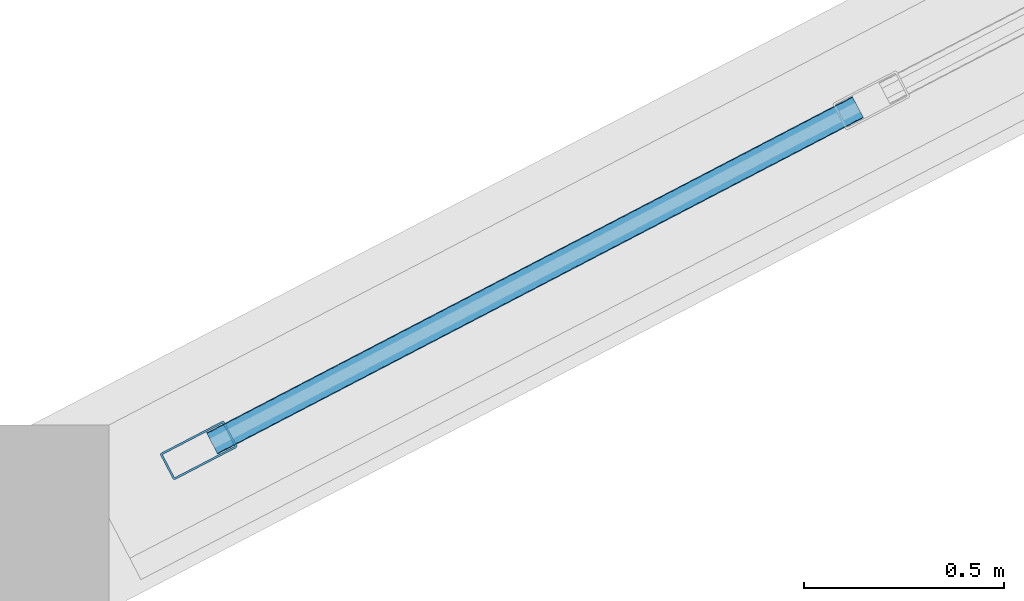
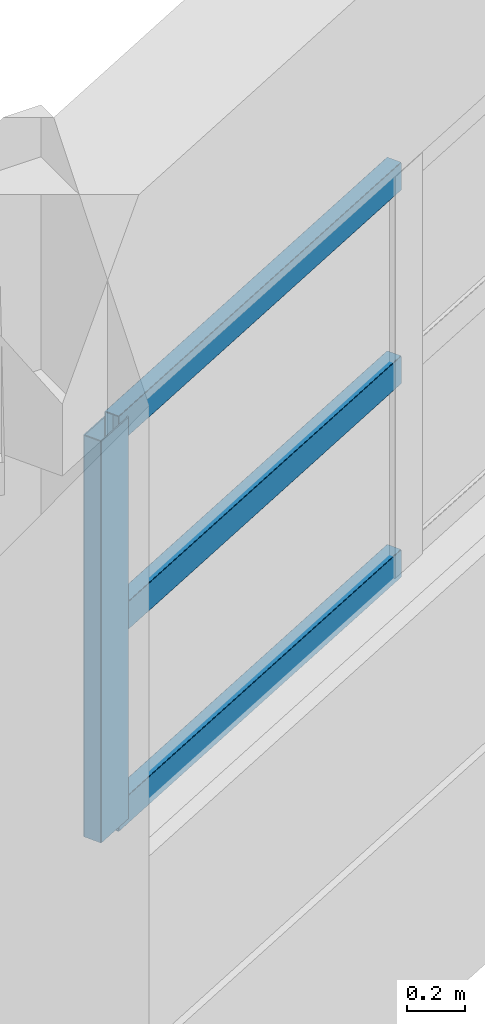
# One storey, part 4 of 108: 4 members, 1 element without a shape of its own.
"""IFC4 building model written with IfcOpenShell, lengths in metres."""

from ifc_helpers import new_model, si_unit, direction, frame, origin, origin_2d, place, context, subcontext, project, spatial, hollow_rectangle, extrude, material, layer, layer_set, material_profile, profile_set, type_object, element, aggregate, save


model = new_model("IFC4")

# Units and contexts
model_context = context("Model", 3, precision=1e-05, world=origin(), true_north=direction((0.0, 1.0)))
body_context = subcontext(model_context, "Body", "Model", "MODEL_VIEW")
ifc_project = project(units=[si_unit("LENGTHUNIT", "METRE"), si_unit("AREAUNIT", "SQUARE_METRE"), si_unit("VOLUMEUNIT", "CUBIC_METRE"), si_unit("PLANEANGLEUNIT", "RADIAN"), si_unit("MASSUNIT", "GRAM", prefix="KILO")], contexts=[model_context])

# Site, building, storey
site_placement = place(None, origin())
site = spatial("IfcSite", under=ifc_project, at=site_placement, CompositionType="ELEMENT")
building_placement = place(site_placement, origin())
building = spatial("IfcBuilding", under=site, at=building_placement, Name="Vespera Passage Community Centre", CompositionType="ELEMENT")
storey_placement = place(building_placement, frame((0.0, 0.0, 12.60009765625)))
storey = spatial("IfcBuildingStorey", under=building, at=storey_placement, Name="L03", CompositionType="ELEMENT", Elevation=12.60009765625)

# Curtain wall, members
ifc_material_1 = material(Name="Anodized aluminium 6063-T6", Category="aluminium")
ifc_layer = layer(ifc_material_1, 0.159912109375)
ifc_layer_set = layer_set([ifc_layer], Name="Anodized aluminium 6063-T6")
curtain_wall_type = type_object("IfcCurtainWallType", Name="CW-88E", PredefinedType="NOTDEFINED", material=ifc_layer_set)
curtain_wall_placement = place(storey_placement, origin())
curtain_wall = element("IfcCurtainWall", 1, at=curtain_wall_placement, inside=storey, type_object=curtain_wall_type, Name="V1 L03 S Apse Ribbon Curtain Wall 2", PredefinedType="NOTDEFINED")
ifc_material_2 = material(Name="Anodized aluminium 6063-T6", Category="aluminium")
ifc_material_profile_1 = material_profile(ifc_material_2, hollow_rectangle(XDim=0.074951171875, YDim=0.179931640625, WallThickness=0.0048828125, InnerFilletRadius=0.00244140625, OuterFilletRadius=0.0048828125, at=origin_2d()), Name="ALU180X75X5")
ifc_profile_set_1 = profile_set([ifc_material_profile_1], Name="Anodized aluminium 6063-T6")
member_type_1 = type_object("IfcMemberType", Name="MB-CWM-180E", PredefinedType="MULLION", material=ifc_profile_set_1)
member_1_placement = place(storey_placement, frame((18.598876953125, 4.36181640625, 0.7998046875), z_axis=(0.0, 0.0, 1.0), x_axis=(0.46174493668, -0.887012747062, 0.0)))
member_1 = element("IfcMember", 2, at=member_1_placement, type_object=member_type_1, Name="CW-88E mullion 7", PredefinedType="MULLION", context=body_context, shape_type="SweptSolid", body=[
    extrude(hollow_rectangle(XDim=0.074951171875, YDim=0.179931640625, WallThickness=0.0048828125, InnerFilletRadius=0.00244140625, OuterFilletRadius=0.0048828125, at=origin_2d()), origin(), (0.0, 0.0, 1.0), 1.7001953125),
])
ifc_material_3 = material(Name="Anodized aluminium 6063-T6", Category="aluminium")
ifc_material_profile_2 = material_profile(ifc_material_3, hollow_rectangle(XDim=0.06005859375, YDim=0.1201171875, WallThickness=0.00390625, InnerFilletRadius=0.001953125, OuterFilletRadius=0.00390625, at=origin_2d()), Name="ALU120X60X4")
ifc_profile_set_2 = profile_set([ifc_material_profile_2], Name="Anodized aluminium 6063-T6")
member_type_2 = type_object("IfcMemberType", Name="MB-CWT-120E", PredefinedType="USERDEFINED", material=ifc_profile_set_2)
member_2_placement = place(storey_placement, frame((20.248291015625, 5.220458984375, 0.829833984375), z_axis=(-0.886990706074, -0.461787274986, 0.0), x_axis=(0.461787274986, -0.886990706074, 0.0)))
member_2 = element("IfcMember", 3, at=member_2_placement, type_object=member_type_2, Name="CW-88E transom 6.1", ObjectType="TRANSOM", PredefinedType="USERDEFINED", context=body_context, shape_type="SweptSolid", body=[
    extrude(hollow_rectangle(XDim=0.06005859375, YDim=0.1201171875, WallThickness=0.00390625, InnerFilletRadius=0.001953125, OuterFilletRadius=0.00390625, at=origin_2d()), origin(), (0.0, 0.0, 1.0), 1.82177734375),
])
member_3_placement = place(storey_placement, frame((20.248291015625, 5.220458984375, 1.64990234375), z_axis=(-0.886990706074, -0.461787274986, 0.0), x_axis=(0.461787274986, -0.886990706074, 0.0)))
member_3 = element("IfcMember", 4, at=member_3_placement, type_object=member_type_2, Name="CW-88E transom 6.2", ObjectType="TRANSOM", PredefinedType="USERDEFINED", context=body_context, shape_type="SweptSolid", body=[
    extrude(hollow_rectangle(XDim=0.06005859375, YDim=0.1201171875, WallThickness=0.00390625, InnerFilletRadius=0.001953125, OuterFilletRadius=0.00390625, at=origin_2d()), origin(), (0.0, 0.0, 1.0), 1.82177734375),
])
member_4_placement = place(storey_placement, frame((20.248291015625, 5.220458984375, 2.469970703125), z_axis=(-0.886990706074, -0.461787274986, 0.0), x_axis=(0.461787274986, -0.886990706074, 0.0)))
member_4 = element("IfcMember", 5, at=member_4_placement, type_object=member_type_2, Name="CW-88E transom 6.3", ObjectType="TRANSOM", PredefinedType="USERDEFINED", context=body_context, shape_type="SweptSolid", body=[
    extrude(hollow_rectangle(XDim=0.06005859375, YDim=0.1201171875, WallThickness=0.00390625, InnerFilletRadius=0.001953125, OuterFilletRadius=0.00390625, at=origin_2d()), origin(), (0.0, 0.0, 1.0), 1.82177734375),
])
aggregate(curtain_wall, [member_1, member_2, member_3, member_4])

save(model, "model.ifc")
